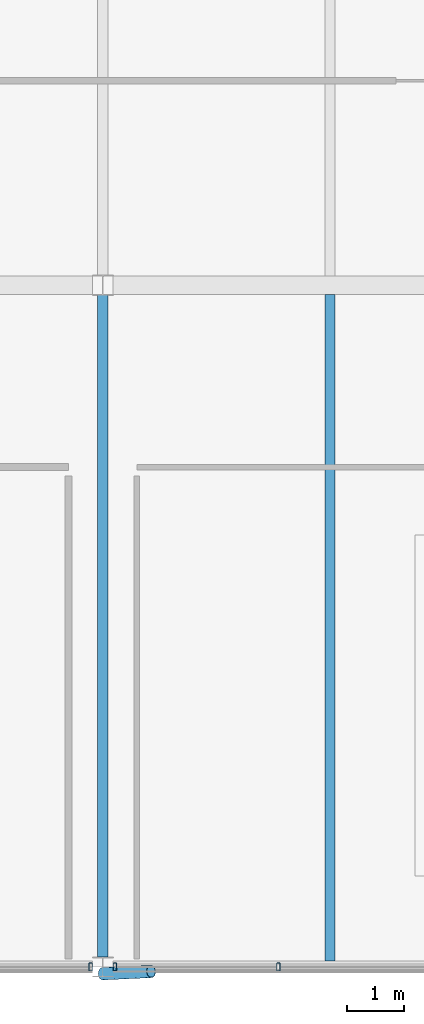
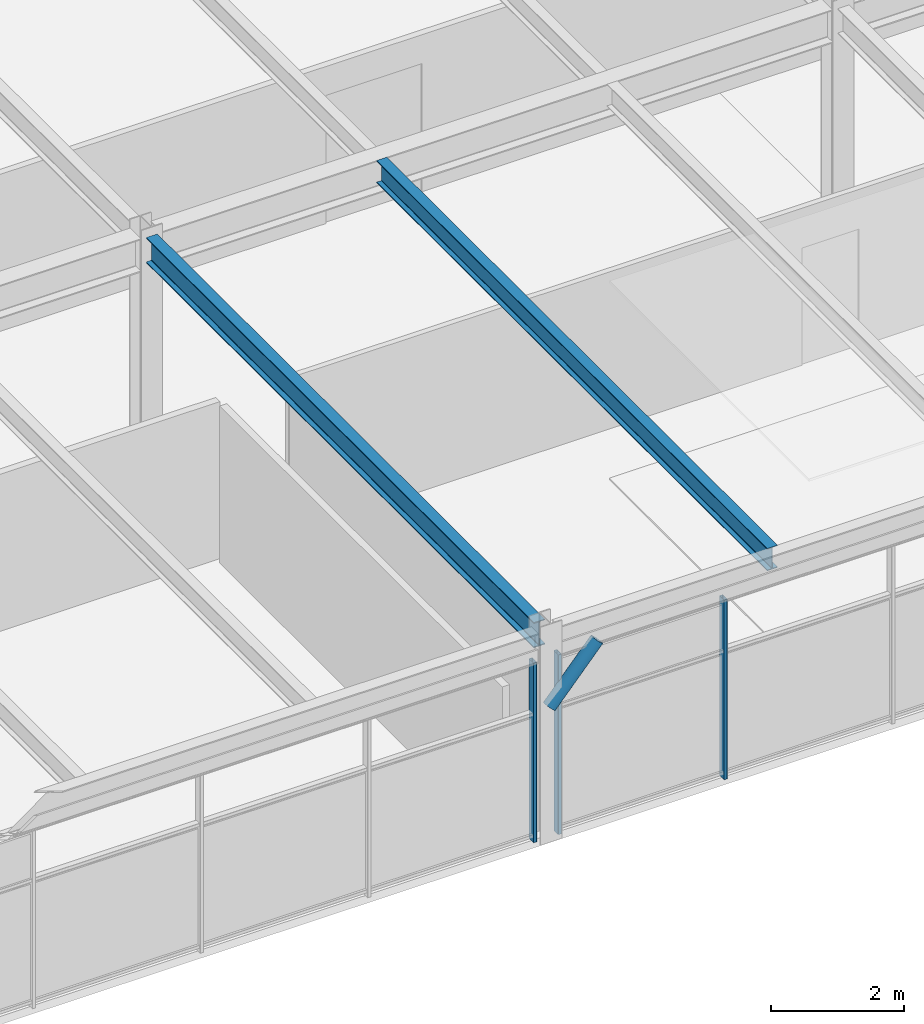
# One storey, part 12 of 32: 4 members, 2 beams, 2 elements without a shape of their own.
"""IFC4 building model written with IfcOpenShell, lengths in metres."""

from ifc_helpers import new_model, si_unit, direction, frame, origin, origin_2d, place, context, subcontext, project, spatial, hollow_rectangle, hollow_circle, i_section, extrude, material, material_profile, profile_set, type_object, element, aggregate, save


model = new_model("IFC4")

# Units and contexts
model_context = context("Model", 3, precision=1e-05, world=origin(), true_north=direction((0.0, 1.0)))
body_context = subcontext(model_context, "Body", "Model", "MODEL_VIEW")
ifc_project = project(units=[si_unit("LENGTHUNIT", "METRE"), si_unit("AREAUNIT", "SQUARE_METRE"), si_unit("VOLUMEUNIT", "CUBIC_METRE"), si_unit("PLANEANGLEUNIT", "RADIAN"), si_unit("MASSUNIT", "GRAM", prefix="KILO")], contexts=[model_context])

# Site, building, storey
site_placement = place(None, origin())
site = spatial("IfcSite", under=ifc_project, at=site_placement, CompositionType="ELEMENT")
building_placement = place(site_placement, origin())
building = spatial("IfcBuilding", under=site, at=building_placement, Name="Girod Span Mobility Hub", CompositionType="ELEMENT")
storey_placement = place(building_placement, frame((0.0, 0.0, 61.60009765625)))
storey = spatial("IfcBuildingStorey", under=building, at=storey_placement, Name="L15", CompositionType="ELEMENT", Elevation=61.60009765625)

# Beams
ifc_material_1 = material(Name="Steel A992 Grade 50", Category="steel")
ifc_material_profile_1 = material_profile(ifc_material_1, i_section(OverallWidth=0.178955078125, OverallDepth=0.409912109375, WebThickness=0.0087890625, FlangeThickness=0.014404296875, FilletRadius=0.012939453125, at=origin_2d()), Name="W16X45")
ifc_profile_set_1 = profile_set([ifc_material_profile_1], Name="Steel A992 Grade 50")
beam_type_1 = type_object("IfcBeamType", Name="BM-STL-W16X45", PredefinedType="BEAM", material=ifc_profile_set_1)
beam_1_placement = place(storey_placement, frame((88.0, 45.10302734375, 3.635009765625), z_axis=(0.0, 1.0, 0.0), x_axis=(-1.0, 0.0, 0.0)))
element("IfcBeam", 1, at=beam_1_placement, inside=storey, type_object=beam_type_1, Name="Composite Floorbeam 8/D-1 L15", PredefinedType="BEAM", context=body_context, shape_type="SweptSolid", body=[
    extrude(i_section(OverallWidth=0.178955078125, OverallDepth=0.409912109375, WebThickness=0.0087890625, FlangeThickness=0.014404296875, FilletRadius=0.012939453125, at=origin_2d()), origin(), (0.0, 0.0, 1.0), 11.738037109375),
])
ifc_material_2 = material(Name="Steel A992 Grade 50", Category="steel")
ifc_material_profile_2 = material_profile(ifc_material_2, i_section(OverallWidth=0.19189453125, OverallDepth=0.462890625, WebThickness=0.010498046875, FlangeThickness=0.017578125, FilletRadius=0.013916015625, at=origin_2d()), Name="W18X60")
ifc_profile_set_2 = profile_set([ifc_material_profile_2], Name="Steel A992 Grade 50")
beam_type_2 = type_object("IfcBeamType", Name="BM-STL-W18X60", PredefinedType="BEAM", material=ifc_profile_set_2)
beam_2_placement = place(storey_placement, frame((84.0, 45.175048828125, 3.6083984375), z_axis=(0.0, 1.0, 0.0), x_axis=(-1.0, 0.0, 0.0)))
element("IfcBeam", 2, at=beam_2_placement, inside=storey, type_object=beam_type_2, Name="Tie Girder 8/D-E L15", PredefinedType="BEAM", context=body_context, shape_type="SweptSolid", body=[
    extrude(i_section(OverallWidth=0.19189453125, OverallDepth=0.462890625, WebThickness=0.010498046875, FlangeThickness=0.017578125, FilletRadius=0.013916015625, at=origin_2d()), origin(), (0.0, 0.0, 1.0), 11.64990234375),
])

# Curtain wall, member
ifc_material_3 = material(Name="Thermally Broken Anodised Aluminium", Category="aluminium")
curtain_wall_type = type_object("IfcCurtainWallType", Name="CW-1164X330", PredefinedType="USERDEFINED", material=ifc_material_3)
curtain_wall_1_placement = place(storey_placement, origin())
curtain_wall_1 = element("IfcCurtainWall", 3, at=curtain_wall_1_placement, inside=storey, type_object=curtain_wall_type, Name="Unitised Curtain Wall CW-L15-S07 L15", ObjectType="UNITISED CURTAIN WALL", PredefinedType="USERDEFINED")
ifc_material_4 = material(Name="Thermally Broken Anodised Aluminium", Category="aluminium")
ifc_material_profile_3 = material_profile(ifc_material_4, hollow_rectangle(XDim=0.139892578125, YDim=0.06005859375, WallThickness=0.00341796875, InnerFilletRadius=0.00341796875, OuterFilletRadius=0.007080078125, at=origin_2d()), Name="CW-ML-60X140")
ifc_profile_set_3 = profile_set([ifc_material_profile_3], Name="Thermally Broken Anodised Aluminium")
member_type_1 = type_object("IfcMemberType", Name="CWM-ML-4", PredefinedType="MULLION", material=ifc_profile_set_3)
member_1_placement = place(storey_placement, frame((83.785400390625, 45.0, 0.0), z_axis=(0.0, 0.0, 1.0), x_axis=(0.0, 1.0, 0.0)))
member_1 = element("IfcMember", 4, at=member_1_placement, type_object=member_type_1, Name="Curtain Wall Mullion CW-L15-S07-M4", PredefinedType="MULLION", context=body_context, shape_type="SweptSolid", body=[
    extrude(hollow_rectangle(XDim=0.139892578125, YDim=0.06005859375, WallThickness=0.00341796875, InnerFilletRadius=0.00341796875, OuterFilletRadius=0.007080078125, at=origin_2d()), origin(), (0.0, 0.0, 1.0), 3.2958984375),
])
aggregate(curtain_wall_1, [member_1])

# Curtain wall, members
curtain_wall_2_placement = place(storey_placement, origin())
curtain_wall_2 = element("IfcCurtainWall", 5, at=curtain_wall_2_placement, inside=storey, type_object=curtain_wall_type, Name="Unitised Curtain Wall CW-L15-S08 L15", ObjectType="UNITISED CURTAIN WALL", PredefinedType="USERDEFINED")
member_2_placement = place(storey_placement, frame((84.214599609375, 45.0, 0.0), z_axis=(0.0, 0.0, 1.0), x_axis=(0.0, 1.0, 0.0)))
member_2 = element("IfcMember", 6, at=member_2_placement, type_object=member_type_1, Name="Curtain Wall Mullion CW-L15-S08-M0", PredefinedType="MULLION", context=body_context, shape_type="SweptSolid", body=[
    extrude(hollow_rectangle(XDim=0.139892578125, YDim=0.06005859375, WallThickness=0.00341796875, InnerFilletRadius=0.00341796875, OuterFilletRadius=0.007080078125, at=origin_2d()), origin(), (0.0, 0.0, 1.0), 3.2958984375),
])
member_3_placement = place(storey_placement, frame((87.09130859375, 45.0, 0.0), z_axis=(0.0, 0.0, 1.0), x_axis=(0.0, 1.0, 0.0)))
member_3 = element("IfcMember", 7, at=member_3_placement, type_object=member_type_1, Name="Curtain Wall Mullion CW-L15-S08-M1", PredefinedType="MULLION", context=body_context, shape_type="SweptSolid", body=[
    extrude(hollow_rectangle(XDim=0.139892578125, YDim=0.06005859375, WallThickness=0.00341796875, InnerFilletRadius=0.00341796875, OuterFilletRadius=0.007080078125, at=origin_2d()), origin(), (0.0, 0.0, 1.0), 3.2958984375),
])
aggregate(curtain_wall_2, [member_2, member_3])

# Member
ifc_material_5 = material(Name="Steel HSS A500 Grade C", Category="steel")
ifc_material_profile_4 = material_profile(ifc_material_5, hollow_circle(Radius=0.109619140625, WallThickness=0.0087890625, at=origin_2d()), Name="HSS219X9.5")
ifc_profile_set_4 = profile_set([ifc_material_profile_4], Name="Steel HSS A500 Grade C")
member_type_2 = type_object("IfcMemberType", Name="MB-ST-HSS219", PredefinedType="STRUT", material=ifc_profile_set_4)
member_4_placement = place(storey_placement, frame((84.0, 44.8798828125, 2.449951171875), z_axis=(0.682328784125, 0.032137254623, 0.73033870719), x_axis=(-0.047047213483, 0.998892666758, 0.0)))
element("IfcMember", 8, at=member_4_placement, inside=storey, type_object=member_type_2, Name="Solar Shading Knee Strut 8 L15", PredefinedType="STRUT", context=body_context, shape_type="SweptSolid", body=[
    extrude(hollow_circle(Radius=0.109619140625, WallThickness=0.0087890625, at=origin_2d()), origin(), (0.0, 0.0, 1.0), 1.245849609375),
])

save(model, "model.ifc")
